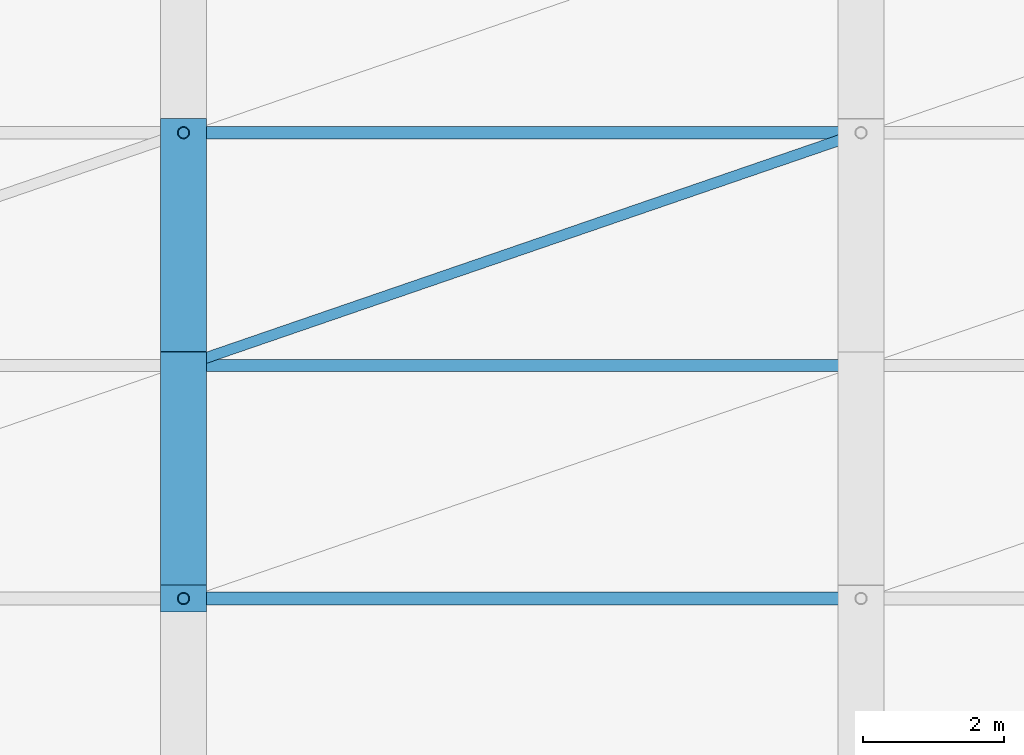
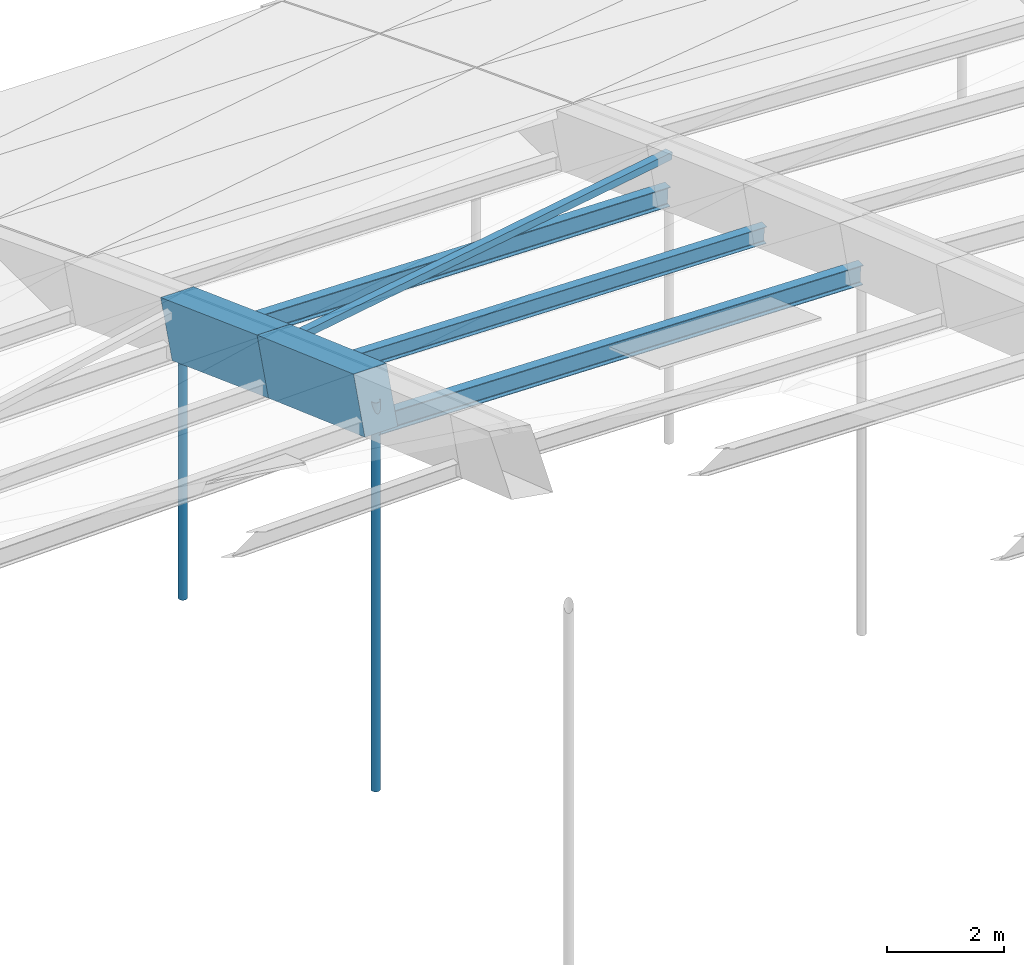
# One storey, part 23 of 43: 6 members, 2 beams.
"""IFC4 building model written with IfcOpenShell, lengths in metres."""

from ifc_helpers import new_model, si_unit, direction, frame, origin, origin_2d, place, context, subcontext, project, spatial, rectangle, hollow_rectangle, hollow_circle, i_section, extrude, material, material_profile, profile_set, type_object, element, save


model = new_model("IFC4")

# Units and contexts
model_context = context("Model", 3, precision=1e-05, world=origin(), true_north=direction((0.0, 1.0)))
body_context = subcontext(model_context, "Body", "Model", "MODEL_VIEW")
ifc_project = project(units=[si_unit("LENGTHUNIT", "METRE"), si_unit("AREAUNIT", "SQUARE_METRE"), si_unit("VOLUMEUNIT", "CUBIC_METRE"), si_unit("PLANEANGLEUNIT", "RADIAN"), si_unit("MASSUNIT", "GRAM", prefix="KILO")], contexts=[model_context])

# Site, building, storey
site_placement = place(None, origin())
site = spatial("IfcSite", under=ifc_project, at=site_placement, CompositionType="ELEMENT")
building_placement = place(site_placement, origin())
building = spatial("IfcBuilding", under=site, at=building_placement, Name="Chalmorin Arch Market", CompositionType="ELEMENT")
storey_placement = place(building_placement, frame((0.0, 0.0, 18.60009765625)))
storey = spatial("IfcBuildingStorey", under=building, at=storey_placement, Name="RF", CompositionType="ELEMENT", Elevation=18.60009765625)

# Members
ifc_material_1 = material(Name="Steel A500 Grade C", Category="steel")
ifc_material_profile_1 = material_profile(ifc_material_1, hollow_circle(Radius=0.084228515625, WallThickness=0.007080078125, at=origin_2d()), Name="CHS168X7")
ifc_profile_set_1 = profile_set([ifc_material_profile_1], Name="Steel A500 Grade C")
member_type_1 = type_object("IfcMemberType", Name="ArchHangerTie-CHS168", PredefinedType="CHORD", material=ifc_profile_set_1)
member_1_placement = place(storey_placement, frame((86.39990234375, 39.0, -2.4501953125), z_axis=(0.0, 0.0, 1.0), x_axis=(1.0, 0.0, 0.0)))
element("IfcMember", 1, at=member_1_placement, inside=storey, type_object=member_type_1, Name="HT-CH168-0160", PredefinedType="CHORD", context=body_context, shape_type="SweptSolid", body=[
    extrude(hollow_circle(Radius=0.084228515625, WallThickness=0.007080078125, at=origin_2d()), origin(), (0.0, 0.0, 1.0), 8.122314453125),
])
member_2_placement = place(storey_placement, frame((86.39990234375, 45.60009765625, -2.4501953125), z_axis=(0.0, 0.0, 1.0), x_axis=(1.0, 0.0, 0.0)))
element("IfcMember", 2, at=member_2_placement, inside=storey, type_object=member_type_1, Name="HT-CH168-0161", PredefinedType="CHORD", context=body_context, shape_type="SweptSolid", body=[
    extrude(hollow_circle(Radius=0.084228515625, WallThickness=0.007080078125, at=origin_2d()), origin(), (0.0, 0.0, 1.0), 5.72119140625),
])

# Beams
ifc_material_2 = material(Name="Concrete C50/60", Category="concrete")
ifc_material_profile_2 = material_profile(ifc_material_2, rectangle(XDim=0.64990234375, YDim=1.14990234375, at=origin_2d()), Name="RC650X1150")
ifc_profile_set_2 = profile_set([ifc_material_profile_2], Name="Concrete C50/60")
beam_type = type_object("IfcBeamType", Name="ArchRibChord-650x1150", PredefinedType="BEAM", material=ifc_profile_set_2)
beam_1_placement = place(storey_placement, frame((86.39990234375, 39.0, 5.672119140625), z_axis=(0.0, 0.941156059224, -0.337972294997), x_axis=(-1.0, 0.0, 0.0)))
element("IfcBeam", 3, at=beam_1_placement, inside=storey, type_object=beam_type, Name="AR-01-1671", PredefinedType="BEAM", context=body_context, shape_type="SweptSolid", body=[
    extrude(rectangle(XDim=0.64990234375, YDim=1.14990234375, at=origin_2d()), origin(), (0.0, 0.0, 1.0), 3.50634765625),
])
beam_2_placement = place(storey_placement, frame((86.39990234375, 42.300048828125, 4.487060546875), z_axis=(0.0, 0.938319410997, -0.345769696396), x_axis=(-1.0, 0.0, 0.0)))
element("IfcBeam", 4, at=beam_2_placement, inside=storey, type_object=beam_type, Name="AR-01-1672", PredefinedType="BEAM", context=body_context, shape_type="SweptSolid", body=[
    extrude(rectangle(XDim=0.64990234375, YDim=1.14990234375, at=origin_2d()), origin(), (0.0, 0.0, 1.0), 3.51708984375),
])

# Members
ifc_material_3 = material(Name="Steel A992 Grade 50", Category="steel")
ifc_material_profile_3 = material_profile(ifc_material_3, i_section(OverallWidth=0.1708984375, OverallDepth=0.35107421875, WebThickness=0.0068359375, FlangeThickness=0.009765625, FilletRadius=0.014892578125, at=origin_2d()), Name="W14X30")
ifc_profile_set_3 = profile_set([ifc_material_profile_3], Name="Steel A992 Grade 50")
member_type_2 = type_object("IfcMemberType", Name="RoofSteelPurlin-W14X30", PredefinedType="PURLIN", material=ifc_profile_set_3)
member_3_placement = place(storey_placement, frame((86.419921875, 42.300048828125, 4.007080078125), z_axis=(0.999804203538, 0.0, -0.019787738336), x_axis=(0.0, 1.0, 0.0)))
element("IfcMember", 5, at=member_3_placement, inside=storey, type_object=member_type_2, Name="PR-W14-0271", PredefinedType="PURLIN", context=body_context, shape_type="SweptSolid", body=[
    extrude(i_section(OverallWidth=0.1708984375, OverallDepth=0.35107421875, WebThickness=0.0068359375, FlangeThickness=0.009765625, FilletRadius=0.014892578125, at=origin_2d()), origin(), (0.0, 0.0, 1.0), 9.56201171875),
])
ifc_material_profile_4 = material_profile(ifc_material_3, i_section(OverallWidth=0.178955078125, OverallDepth=0.409912109375, WebThickness=0.0087890625, FlangeThickness=0.014404296875, FilletRadius=0.01806640625, at=origin_2d()), Name="W16X45")
ifc_profile_set_4 = profile_set([ifc_material_profile_4], Name="Steel A992 Grade 50")
member_type_3 = type_object("IfcMemberType", Name="RoofSteelPurlin-W16X45", PredefinedType="PURLIN", material=ifc_profile_set_4)
member_4_placement = place(storey_placement, frame((86.419921875, 39.0, 5.192138671875), z_axis=(0.999769446999, 0.0, -0.021472141195), x_axis=(0.0, 1.0, 0.0)))
element("IfcMember", 6, at=member_4_placement, inside=storey, type_object=member_type_3, Name="PR-W16-0270", PredefinedType="PURLIN", context=body_context, shape_type="SweptSolid", body=[
    extrude(i_section(OverallWidth=0.178955078125, OverallDepth=0.409912109375, WebThickness=0.0087890625, FlangeThickness=0.014404296875, FilletRadius=0.01806640625, at=origin_2d()), origin(), (0.0, 0.0, 1.0), 9.562255859375),
])
member_5_placement = place(storey_placement, frame((86.419921875, 45.60009765625, 2.791015625), z_axis=(0.999837047261, 0.0, -0.01805211687), x_axis=(0.0, 1.0, 0.0)))
element("IfcMember", 7, at=member_5_placement, inside=storey, type_object=member_type_3, Name="PR-W16-0272", PredefinedType="PURLIN", context=body_context, shape_type="SweptSolid", body=[
    extrude(i_section(OverallWidth=0.178955078125, OverallDepth=0.409912109375, WebThickness=0.0087890625, FlangeThickness=0.014404296875, FilletRadius=0.01806640625, at=origin_2d()), origin(), (0.0, 0.0, 1.0), 9.5615234375),
])
ifc_material_profile_5 = material_profile(ifc_material_1, hollow_rectangle(XDim=0.15234375, YDim=0.15234375, WallThickness=0.0087890625, at=origin_2d()), Name="HSS6X6X3/8")
ifc_profile_set_5 = profile_set([ifc_material_profile_5], Name="Steel A500 Grade C")
member_type_4 = type_object("IfcMemberType", Name="VaultWindBrace-HSS6X6", PredefinedType="BRACE", material=ifc_profile_set_5)
member_6_placement = place(storey_placement, frame((86.39990234375, 42.300048828125, 4.8369140625), z_axis=(0.936963156618, 0.322082574335, -0.135509624935), x_axis=(-0.325081112779, 0.945686137212, 0.0)))
element("IfcMember", 8, at=member_6_placement, inside=storey, type_object=member_type_4, Name="BR-HS6-0279", ObjectType="Diagonal brace", PredefinedType="BRACE", context=body_context, shape_type="SweptSolid", body=[
    extrude(hollow_rectangle(XDim=0.15234375, YDim=0.15234375, WallThickness=0.0087890625, at=origin_2d()), origin(), (0.0, 0.0, 1.0), 10.245849609375),
])

save(model, "model.ifc")
